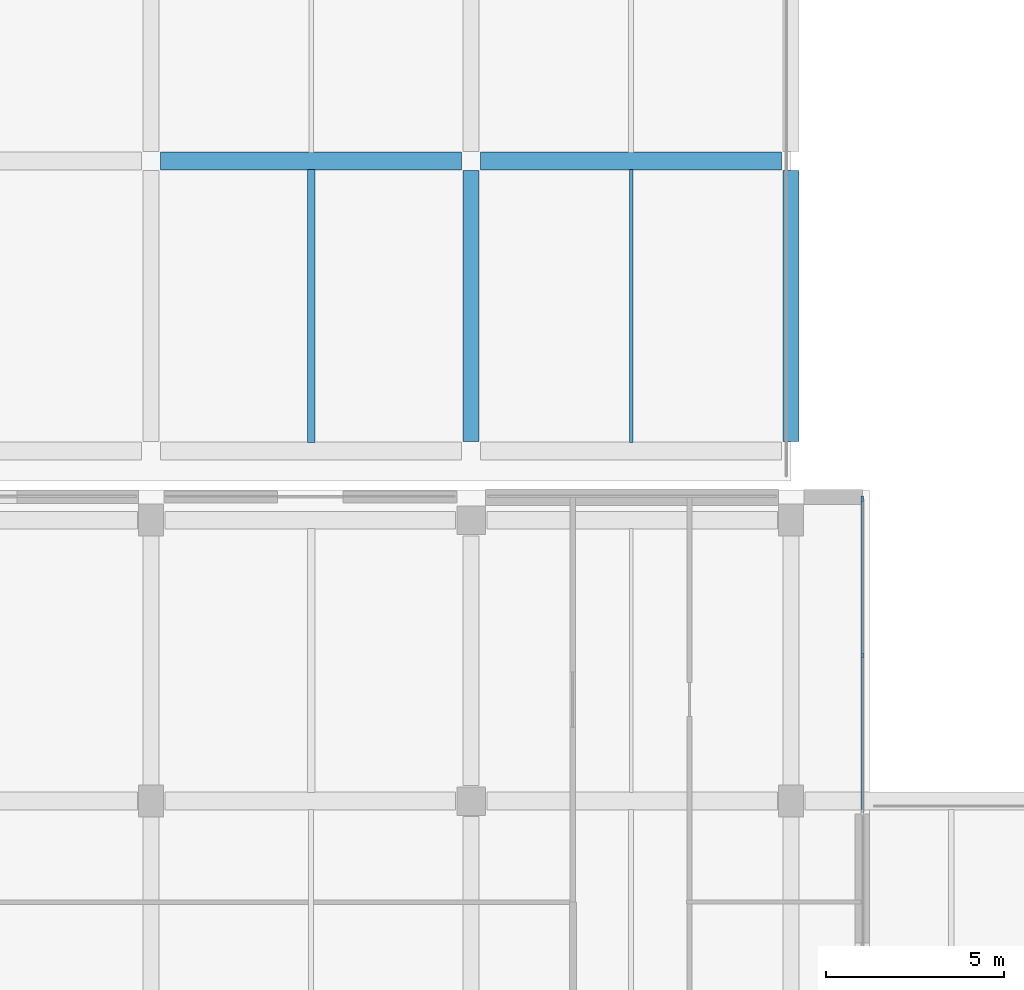
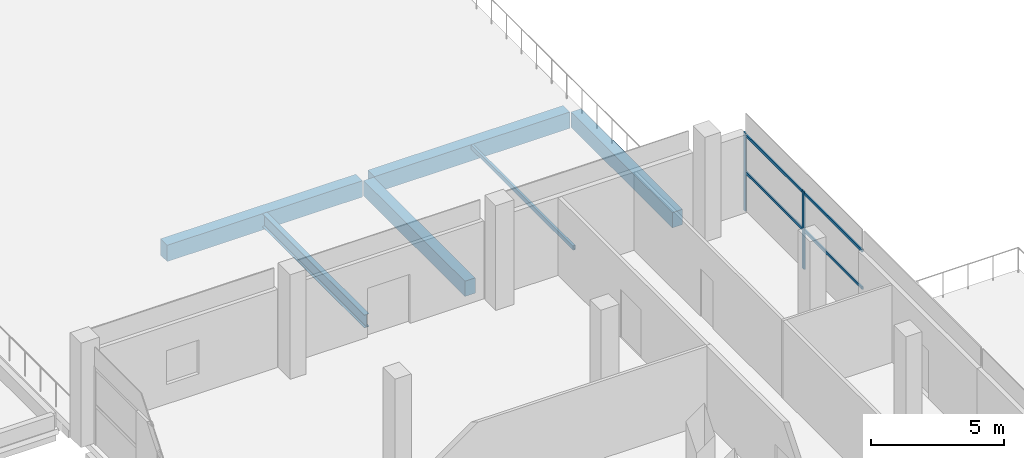
# One storey, part 34 of 82: 6 beams, 4 members, 1 element without a shape of its own.
"""IFC4 building model written with IfcOpenShell, lengths in metres."""

from ifc_helpers import new_model, si_unit, direction, frame, origin, origin_2d, place, context, subcontext, project, spatial, rectangle, hollow_rectangle, i_section, extrude, material, material_profile, profile_set, type_object, element, aggregate, save


model = new_model("IFC4")

# Units and contexts
model_context = context("Model", 3, precision=1e-05, world=origin(), true_north=direction((0.0, 1.0)))
body_context = subcontext(model_context, "Body", "Model", "MODEL_VIEW")
ifc_project = project(units=[si_unit("LENGTHUNIT", "METRE"), si_unit("AREAUNIT", "SQUARE_METRE"), si_unit("VOLUMEUNIT", "CUBIC_METRE"), si_unit("PLANEANGLEUNIT", "RADIAN"), si_unit("MASSUNIT", "GRAM", prefix="KILO"), si_unit("THERMODYNAMICTEMPERATUREUNIT", "KELVIN"), si_unit("POWERUNIT", "WATT")], contexts=[model_context])

# Site, building, storey
site_placement = place(None, origin())
site = spatial("IfcSite", under=ifc_project, at=site_placement, CompositionType="ELEMENT")
building_placement = place(site_placement, origin())
building = spatial("IfcBuilding", under=site, at=building_placement, Name="Sindhuravela Promenade Stadium", CompositionType="ELEMENT")
storey_placement = place(building_placement, frame((0.0, 0.0, 14.39990234375)))
storey = spatial("IfcBuildingStorey", under=building, at=storey_placement, Name="L03", CompositionType="ELEMENT", Elevation=14.39990234375)

# Curtain wall, members
ifc_material_1 = material(Name="Anodised architectural aluminium 6063-T6", Category="aluminium")
curtain_wall_type = type_object("IfcCurtainWallType", Name="CW-MOD-8", PredefinedType="NOTDEFINED", material=ifc_material_1)
curtain_wall_placement = place(storey_placement, origin())
curtain_wall = element("IfcCurtainWall", 1, at=curtain_wall_placement, inside=storey, type_object=curtain_wall_type, Name="Bronze curtain wall CW-EAST-L03-127", PredefinedType="NOTDEFINED")
ifc_material_profile_1 = material_profile(ifc_material_1, rectangle(XDim=0.06494140625, YDim=0.14990234375, at=origin_2d()), Name="ALU MULL 65x150")
ifc_profile_set_1 = profile_set([ifc_material_profile_1], Name="Anodised architectural aluminium 6063-T6")
member_type_1 = type_object("IfcMemberType", Name="CW-MUL-2", PredefinedType="MULLION", material=ifc_profile_set_1)
member_1_placement = place(storey_placement, frame((209.0, 125.5048828125, 0.0), z_axis=(0.0, 0.0, 1.0), x_axis=(1.0, 0.0, 0.0)))
member_1 = element("IfcMember", 2, at=member_1_placement, type_object=member_type_1, Name="Curtain wall mullion CW-EAST-L03-127-M1", PredefinedType="MULLION", context=body_context, shape_type="SweptSolid", body=[
    extrude(rectangle(XDim=0.06494140625, YDim=0.14990234375, at=origin_2d()), origin(), (0.0, 0.0, 1.0), 3.580078125),
])
member_2_placement = place(storey_placement, frame((209.0, 121.094970703125, 0.0), z_axis=(0.0, 0.0, 1.0), x_axis=(1.0, 0.0, 0.0)))
member_2 = element("IfcMember", 3, at=member_2_placement, type_object=member_type_1, Name="Curtain wall mullion CW-EAST-L03-127-M2", PredefinedType="MULLION", context=body_context, shape_type="SweptSolid", body=[
    extrude(rectangle(XDim=0.06494140625, YDim=0.14990234375, at=origin_2d()), origin(), (0.0, 0.0, 1.0), 3.580078125),
])
ifc_material_profile_2 = material_profile(ifc_material_1, rectangle(XDim=0.06494140625, YDim=0.125, at=origin_2d()), Name="ALU TRAN 65x125")
ifc_profile_set_2 = profile_set([ifc_material_profile_2], Name="Anodised architectural aluminium 6063-T6")
member_type_2 = type_object("IfcMemberType", Name="CW-TRN-2", PredefinedType="USERDEFINED", material=ifc_profile_set_2)
member_3_placement = place(storey_placement, frame((209.0, 125.530029296875, 1.7900390625), z_axis=(0.0, -1.0, 0.0), x_axis=(1.0, 0.0, 0.0)))
member_3 = element("IfcMember", 4, at=member_3_placement, type_object=member_type_2, Name="Curtain wall transom CW-EAST-L03-127-T1", ObjectType="TRANSOM", PredefinedType="USERDEFINED", context=body_context, shape_type="SweptSolid", body=[
    extrude(rectangle(XDim=0.06494140625, YDim=0.125, at=origin_2d()), origin(), (0.0, 0.0, 1.0), 8.8701171875),
])
member_4_placement = place(storey_placement, frame((209.0, 125.530029296875, 3.5), z_axis=(0.0, -1.0, 0.0), x_axis=(1.0, 0.0, 0.0)))
member_4 = element("IfcMember", 5, at=member_4_placement, type_object=member_type_2, Name="Curtain wall transom CW-EAST-L03-127-T2", ObjectType="TRANSOM", PredefinedType="USERDEFINED", context=body_context, shape_type="SweptSolid", body=[
    extrude(rectangle(XDim=0.06494140625, YDim=0.125, at=origin_2d()), origin(), (0.0, 0.0, 1.0), 8.8701171875),
])
aggregate(curtain_wall, [member_1, member_2, member_3, member_4])

# Beams
ifc_material_2 = material(Name="Concrete M40", Category="concrete")
ifc_material_profile_3 = material_profile(ifc_material_2, rectangle(XDim=0.449951171875, YDim=0.699951171875, at=origin_2d()), Name="RC 450x700")
ifc_profile_set_3 = profile_set([ifc_material_profile_3], Name="Concrete M40")
beam_type_1 = type_object("IfcBeamType", Name="RC-BM-450x700", PredefinedType="BEAM", material=ifc_profile_set_3)
for number, where, z_axis, x_axis, name in (
    (6, (198.0, 127.114990234375, -0.659912109375), (0.0, 1.0, 0.0), (-1.0, 0.0, 0.0), "Primary beam GB07 Pavilion NE L03"),
    (7, (207.0, 127.114990234375, -0.659912109375), (0.0, 1.0, 0.0), (-1.0, 0.0, 0.0), "Primary beam GB07 Pavilion NE L03"),
):
    element("IfcBeam", number, at=place(storey_placement, frame(where, z_axis=z_axis, x_axis=x_axis)), inside=storey, type_object=beam_type_1, Name=name, PredefinedType="BEAM", context=body_context, shape_type="SweptSolid", body=[
        extrude(rectangle(XDim=0.449951171875, YDim=0.699951171875, at=origin_2d()), origin(), (0.0, 0.0, 1.0), 7.6201171875),
    ])
ifc_material_profile_4 = material_profile(ifc_material_2, rectangle(XDim=0.5, YDim=0.75, at=origin_2d()), Name="RC 500x750")
ifc_profile_set_4 = profile_set([ifc_material_profile_4], Name="Concrete M40")
beam_type_2 = type_object("IfcBeamType", Name="RC-BM-500x750", PredefinedType="BEAM", material=ifc_profile_set_4)
for number, where, z_axis, x_axis, name in (
    (8, (189.264892578125, 135.0, -0.684814453125), (1.0, 0.0, 0.0), (0.0, 1.0, 0.0), "Primary girder GB06 Pavilion NE L03"),
    (9, (198.264892578125, 135.0, -0.684814453125), (1.0, 0.0, 0.0), (0.0, 1.0, 0.0), "Primary girder GB06 Pavilion NE L03"),
):
    element("IfcBeam", number, at=place(storey_placement, frame(where, z_axis=z_axis, x_axis=x_axis)), inside=storey, type_object=beam_type_2, Name=name, PredefinedType="BEAM", context=body_context, shape_type="SweptSolid", body=[
        extrude(rectangle(XDim=0.5, YDim=0.75, at=origin_2d()), origin(), (0.0, 0.0, 1.0), 8.47021484375),
    ])
ifc_material_3 = material(Name="Steel E350 (IS 2062 E350BR)", Category="steel")
ifc_material_profile_5 = material_profile(ifc_material_3, hollow_rectangle(XDim=0.10009765625, YDim=0.199951171875, WallThickness=0.008056640625, at=origin_2d()), Name="RHS 200x100x8")
ifc_profile_set_5 = profile_set([ifc_material_profile_5], Name="Steel E350 (IS 2062 E350BR)")
beam_type_3 = type_object("IfcBeamType", Name="ST-BM-LNT200", PredefinedType="LINTEL", material=ifc_profile_set_5)
beam_1_placement = place(storey_placement, frame((202.5, 127.090087890625, -0.409912109375), z_axis=(0.0, 1.0, 0.0), x_axis=(-1.0, 0.0, 0.0)))
element("IfcBeam", 10, at=beam_1_placement, inside=storey, type_object=beam_type_3, Name="Secondary floor joist LN01 Pavilion NE L03", PredefinedType="LINTEL", context=body_context, shape_type="SweptSolid", body=[
    extrude(hollow_rectangle(XDim=0.10009765625, YDim=0.199951171875, WallThickness=0.008056640625, at=origin_2d()), origin(), (0.0, 0.0, 1.0), 7.669921875),
])
ifc_material_profile_6 = material_profile(ifc_material_3, i_section(OverallWidth=0.2099609375, OverallDepth=0.60009765625, WebThickness=0.011962890625, FlangeThickness=0.020751953125, FilletRadius=0.02001953125, at=origin_2d()), Name="ISMB 600")
ifc_profile_set_6 = profile_set([ifc_material_profile_6], Name="Steel E350 (IS 2062 E350BR)")
beam_type_4 = type_object("IfcBeamType", Name="ST-BM-MB600", PredefinedType="BEAM", material=ifc_profile_set_6)
beam_2_placement = place(storey_placement, frame((193.5, 127.090087890625, -0.60986328125), z_axis=(0.0, 1.0, 0.0), x_axis=(-1.0, 0.0, 0.0)))
element("IfcBeam", 11, at=beam_2_placement, inside=storey, type_object=beam_type_4, Name="Secondary floor joist SB09 Pavilion NE L03", PredefinedType="BEAM", context=body_context, shape_type="SweptSolid", body=[
    extrude(i_section(OverallWidth=0.2099609375, OverallDepth=0.60009765625, WebThickness=0.011962890625, FlangeThickness=0.020751953125, FilletRadius=0.02001953125, at=origin_2d()), origin(), (0.0, 0.0, 1.0), 7.669921875),
])

save(model, "model.ifc")
